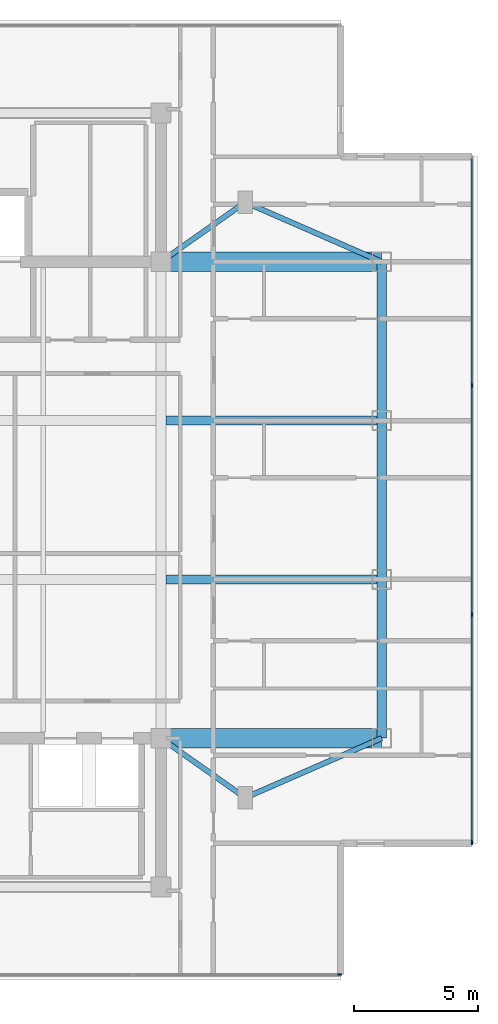
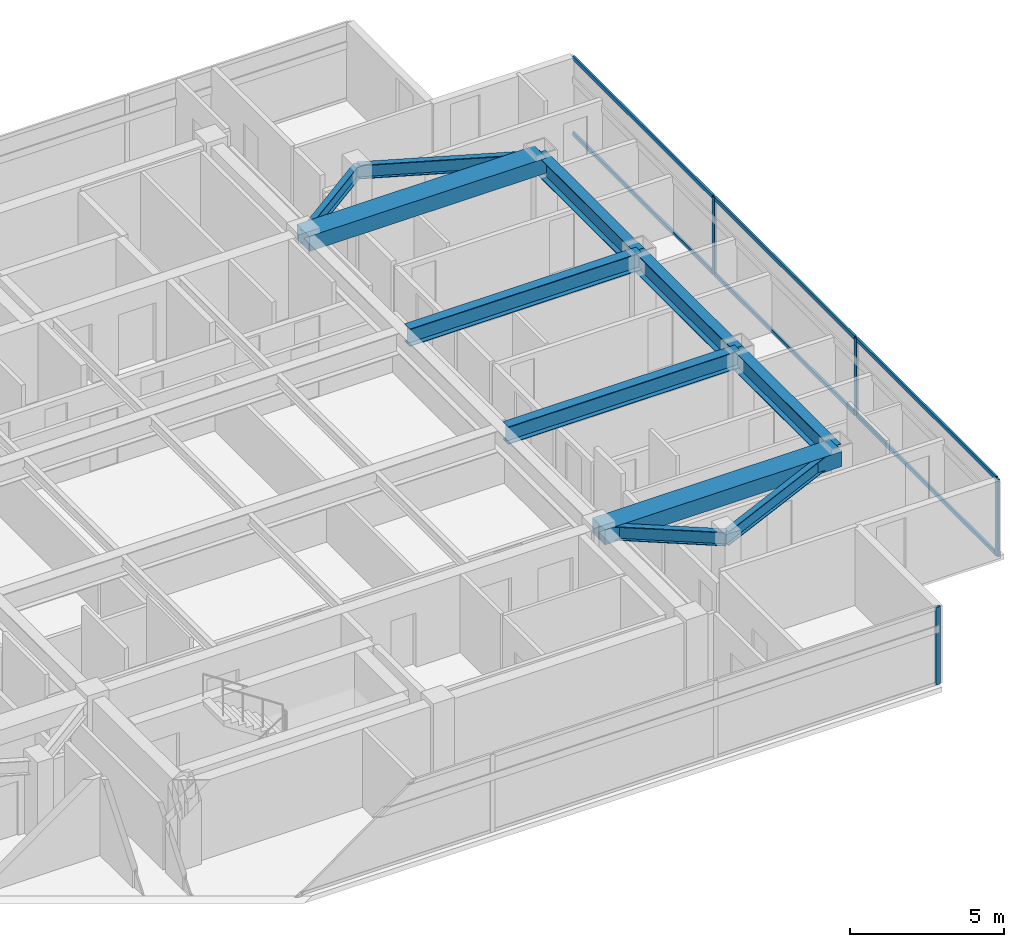
# One storey, part 4 of 14: 11 beams, 10 members, 2 elements without a shape of their own.
"""IFC4 building model written with IfcOpenShell, lengths in metres."""

from ifc_helpers import new_model, si_unit, direction, frame, origin, origin_2d, place, context, subcontext, project, spatial, rectangle, i_section, extrude, material, material_profile, profile_set, type_object, element, aggregate, save


model = new_model("IFC4")

# Units and contexts
model_context = context("Model", 3, precision=1e-05, world=origin(), true_north=direction((0.0, 1.0)))
body_context = subcontext(model_context, "Body", "Model", "MODEL_VIEW")
ifc_project = project(units=[si_unit("LENGTHUNIT", "METRE"), si_unit("AREAUNIT", "SQUARE_METRE"), si_unit("VOLUMEUNIT", "CUBIC_METRE"), si_unit("PLANEANGLEUNIT", "RADIAN"), si_unit("MASSUNIT", "GRAM", prefix="KILO")], contexts=[model_context])

# Site, building, storey
site_placement = place(None, origin())
site = spatial("IfcSite", under=ifc_project, at=site_placement, CompositionType="ELEMENT")
building_placement = place(site_placement, origin())
building = spatial("IfcBuilding", under=site, at=building_placement, Name="Mirazonda Arch Towers", CompositionType="ELEMENT")
storey_placement = place(building_placement, frame((0.0, 0.0, 242.5)))
storey = spatial("IfcBuildingStorey", under=building, at=storey_placement, Name="L69", CompositionType="ELEMENT", Elevation=242.5)

# Beams
ifc_material_1 = material(Name="Steel ASTM A992 Grade 50", Category="steel")
ifc_material_profile_1 = material_profile(ifc_material_1, i_section(OverallWidth=0.381103515625, OverallDepth=0.77294921875, WebThickness=0.0166015625, FlangeThickness=0.027099609375, at=origin_2d()), Name="W30X173")
ifc_profile_set_1 = profile_set([ifc_material_profile_1], Name="Steel ASTM A992 Grade 50")
beam_type_1 = type_object("IfcBeamType", Name="BM-EXT-W30X173", PredefinedType="USERDEFINED", material=ifc_profile_set_1)
beam_1_placement = place(storey_placement, frame((38.89990234375, 18.39990234375, 2.71337890625), z_axis=(0.0, 1.0, 0.0), x_axis=(-1.0, 0.0, 0.0)))
element("IfcBeam", 1, at=beam_1_placement, inside=storey, type_object=beam_type_1, Name="L69 Floor Beam BM-T1-L69-NS-E-18", ObjectType="GIRDER", PredefinedType="USERDEFINED", context=body_context, shape_type="SweptSolid", body=[
    extrude(i_section(OverallWidth=0.381103515625, OverallDepth=0.77294921875, WebThickness=0.0166015625, FlangeThickness=0.027099609375, at=origin_2d()), origin(), (0.0, 0.0, 1.0), 6.400146484375),
])
beam_2_placement = place(storey_placement, frame((38.89990234375, 24.800048828125, 2.71337890625), z_axis=(0.0, 1.0, 0.0), x_axis=(-1.0, 0.0, 0.0)))
element("IfcBeam", 2, at=beam_2_placement, inside=storey, type_object=beam_type_1, Name="L69 Floor Beam BM-T1-L69-NS-E-24", ObjectType="GIRDER", PredefinedType="USERDEFINED", context=body_context, shape_type="SweptSolid", body=[
    extrude(i_section(OverallWidth=0.381103515625, OverallDepth=0.77294921875, WebThickness=0.0166015625, FlangeThickness=0.027099609375, at=origin_2d()), origin(), (0.0, 0.0, 1.0), 6.39990234375),
])
beam_3_placement = place(storey_placement, frame((38.89990234375, 31.199951171875, 2.71337890625), z_axis=(0.0, 1.0, 0.0), x_axis=(-1.0, 0.0, 0.0)))
element("IfcBeam", 3, at=beam_3_placement, inside=storey, type_object=beam_type_1, Name="L69 Floor Beam BM-T1-L69-NS-E-31", ObjectType="GIRDER", PredefinedType="USERDEFINED", context=body_context, shape_type="SweptSolid", body=[
    extrude(i_section(OverallWidth=0.381103515625, OverallDepth=0.77294921875, WebThickness=0.0166015625, FlangeThickness=0.027099609375, at=origin_2d()), origin(), (0.0, 0.0, 1.0), 6.400146484375),
])
ifc_material_profile_2 = material_profile(ifc_material_1, i_section(OverallWidth=0.214111328125, OverallDepth=0.549072265625, WebThickness=0.0146484375, FlangeThickness=0.023681640625, at=origin_2d()), Name="W21X93")
ifc_profile_set_2 = profile_set([ifc_material_profile_2], Name="Steel ASTM A992 Grade 50")
beam_type_2 = type_object("IfcBeamType", Name="BM-INT-W21X93", PredefinedType="BEAM", material=ifc_profile_set_2)
beam_4_placement = place(storey_placement, frame((33.39990234375, 16.0, 2.825439453125), z_axis=(-0.816971114901, 0.576678591087, 0.0), x_axis=(-0.576678591087, -0.816971114901, 0.0)))
element("IfcBeam", 4, at=beam_4_placement, inside=storey, type_object=beam_type_2, Name="L69 Floor Beam BM-T1-L69-PL-SE1", PredefinedType="BEAM", context=body_context, shape_type="SweptSolid", body=[
    extrude(i_section(OverallWidth=0.214111328125, OverallDepth=0.549072265625, WebThickness=0.0146484375, FlangeThickness=0.023681640625, at=origin_2d()), origin(), (0.0, 0.0, 1.0), 4.16162109375),
])
beam_5_placement = place(storey_placement, frame((33.39990234375, 16.0, 2.825439453125), z_axis=(0.916545343703, 0.399930785183, 0.0), x_axis=(-0.399930785183, 0.916545343703, 0.0)))
element("IfcBeam", 5, at=beam_5_placement, inside=storey, type_object=beam_type_2, Name="L69 Floor Beam BM-T1-L69-PL-SE2", PredefinedType="BEAM", context=body_context, shape_type="SweptSolid", body=[
    extrude(i_section(OverallWidth=0.214111328125, OverallDepth=0.549072265625, WebThickness=0.0146484375, FlangeThickness=0.023681640625, at=origin_2d()), origin(), (0.0, 0.0, 1.0), 6.000732421875),
])
beam_6_placement = place(storey_placement, frame((33.39990234375, 40.0, 2.825439453125), z_axis=(-0.816971114901, -0.576678591087, 0.0), x_axis=(0.576678591087, -0.816971114901, 0.0)))
element("IfcBeam", 6, at=beam_6_placement, inside=storey, type_object=beam_type_2, Name="L69 Floor Beam BM-T1-L69-PL-NE1", PredefinedType="BEAM", context=body_context, shape_type="SweptSolid", body=[
    extrude(i_section(OverallWidth=0.214111328125, OverallDepth=0.549072265625, WebThickness=0.0146484375, FlangeThickness=0.023681640625, at=origin_2d()), origin(), (0.0, 0.0, 1.0), 4.16162109375),
])
beam_7_placement = place(storey_placement, frame((33.39990234375, 40.0, 2.825439453125), z_axis=(0.916545343703, -0.399930785183, 0.0), x_axis=(0.399930785183, 0.916545343703, 0.0)))
element("IfcBeam", 7, at=beam_7_placement, inside=storey, type_object=beam_type_2, Name="L69 Floor Beam BM-T1-L69-PL-NE2", PredefinedType="BEAM", context=body_context, shape_type="SweptSolid", body=[
    extrude(i_section(OverallWidth=0.214111328125, OverallDepth=0.549072265625, WebThickness=0.0146484375, FlangeThickness=0.023681640625, at=origin_2d()), origin(), (0.0, 0.0, 1.0), 6.000732421875),
])
ifc_material_profile_3 = material_profile(ifc_material_1, i_section(OverallWidth=0.35498046875, OverallDepth=0.696044921875, WebThickness=0.015380859375, FlangeThickness=0.02490234375, at=origin_2d()), Name="W27X146")
ifc_profile_set_3 = profile_set([ifc_material_profile_3], Name="Steel ASTM A992 Grade 50")
beam_type_3 = type_object("IfcBeamType", Name="BM-INT-W27X146", PredefinedType="BEAM", material=ifc_profile_set_3)
for number, where, z_axis, x_axis, name in (
    (8, (30.199951171875, 24.800048828125, 2.751953125), (1.0, 0.0, 0.0), (0.0, 1.0, 0.0), "L69 Floor Beam BM-T1-L69-GE2"),
    (9, (30.199951171875, 31.199951171875, 2.751953125), (1.0, 0.0, 0.0), (0.0, 1.0, 0.0), "L69 Floor Beam BM-T1-L69-GE3"),
):
    element("IfcBeam", number, at=place(storey_placement, frame(where, z_axis=z_axis, x_axis=x_axis)), inside=storey, type_object=beam_type_3, Name=name, PredefinedType="BEAM", context=body_context, shape_type="SweptSolid", body=[
        extrude(i_section(OverallWidth=0.35498046875, OverallDepth=0.696044921875, WebThickness=0.015380859375, FlangeThickness=0.02490234375, at=origin_2d()), origin(), (0.0, 0.0, 1.0), 8.699951171875),
    ])
ifc_material_2 = material(Name="Concrete C60/75", Category="concrete")
ifc_material_profile_4 = material_profile(ifc_material_2, rectangle(XDim=0.800048828125, YDim=0.60009765625, at=origin_2d()), Name="RCCB800x600")
ifc_profile_set_4 = profile_set([ifc_material_profile_4], Name="Concrete C60/75")
beam_type_4 = type_object("IfcBeamType", Name="CB-INT-RCCB800x600", PredefinedType="SPANDREL", material=ifc_profile_set_4)
for number, where, z_axis, x_axis, name in (
    (10, (30.0, 37.60009765625, 2.800048828125), (1.0, 0.0, 0.0), (0.0, 1.0, 0.0), "L69 Floor Beam CBC-T1-L69-NE"),
    (11, (30.0, 18.39990234375, 2.800048828125), (1.0, 0.0, 0.0), (0.0, 1.0, 0.0), "L69 Floor Beam CBC-T1-L69-SE"),
):
    element("IfcBeam", number, at=place(storey_placement, frame(where, z_axis=z_axis, x_axis=x_axis)), inside=storey, type_object=beam_type_4, Name=name, PredefinedType="SPANDREL", context=body_context, shape_type="SweptSolid", body=[
        extrude(rectangle(XDim=0.800048828125, YDim=0.60009765625, at=origin_2d()), origin(), (0.0, 0.0, 1.0), 8.89990234375),
    ])

# Curtain wall, member
ifc_material_3 = material(Name="Anodised Aluminium and Low-E Glass", Category="aluminium")
curtain_wall_type = type_object("IfcCurtainWallType", Name="CW-RES-UNIT", PredefinedType="NOTDEFINED", material=ifc_material_3)
curtain_wall_1_placement = place(storey_placement, origin())
curtain_wall_1 = element("IfcCurtainWall", 12, at=curtain_wall_1_placement, inside=storey, type_object=curtain_wall_type, Name="L69 T1 S Facade CW-L69-T1-S", PredefinedType="NOTDEFINED")
ifc_material_4 = material(Name="Anodised Aluminium Alloy", Category="aluminium")
ifc_material_profile_5 = material_profile(ifc_material_4, rectangle(XDim=0.074951171875, YDim=0.175048828125, at=origin_2d()), Name="ALU-MULL-75x175")
ifc_profile_set_5 = profile_set([ifc_material_profile_5], Name="Anodised Aluminium Alloy")
member_type_1 = type_object("IfcMemberType", Name="MULL-CW-RES-UNIT", PredefinedType="MULLION", material=ifc_profile_set_5)
member_1_placement = place(storey_placement, frame((37.21240234375, 8.8740234375, 0.0), z_axis=(0.0, 0.0, 1.0), x_axis=(0.0, -1.0, 0.0)))
member_1 = element("IfcMember", 13, at=member_1_placement, type_object=member_type_1, Name="CW-104 mullion 1", PredefinedType="MULLION", context=body_context, shape_type="SweptSolid", body=[
    extrude(rectangle(XDim=0.074951171875, YDim=0.175048828125, at=origin_2d()), origin(), (0.0, 0.0, 1.0), 3.080078125),
])
aggregate(curtain_wall_1, [member_1])

# Curtain wall, members
curtain_wall_2_placement = place(storey_placement, origin())
curtain_wall_2 = element("IfcCurtainWall", 14, at=curtain_wall_2_placement, inside=storey, type_object=curtain_wall_type, Name="L69 T1 E Facade CW-L69-T1-E", PredefinedType="NOTDEFINED")
member_2_placement = place(storey_placement, frame((42.5400390625, 14.201416015625, 0.0), z_axis=(0.0, 0.0, 1.0), x_axis=(-1.0, 0.0, 0.0)))
member_2 = element("IfcMember", 15, at=member_2_placement, type_object=member_type_1, Name="CW-104 mullion 1", PredefinedType="MULLION", context=body_context, shape_type="SweptSolid", body=[
    extrude(rectangle(XDim=0.074951171875, YDim=0.175048828125, at=origin_2d()), origin(), (0.0, 0.0, 1.0), 3.080078125),
])
member_3_placement = place(storey_placement, frame((42.5400390625, 23.387939453125, 0.0), z_axis=(0.0, 0.0, 1.0), x_axis=(-1.0, 0.0, 0.0)))
member_3 = element("IfcMember", 16, at=member_3_placement, type_object=member_type_1, Name="CW-104 mullion 2", PredefinedType="MULLION", context=body_context, shape_type="SweptSolid", body=[
    extrude(rectangle(XDim=0.074951171875, YDim=0.175048828125, at=origin_2d()), origin(), (0.0, 0.0, 1.0), 3.080078125),
])
member_4_placement = place(storey_placement, frame((42.5400390625, 32.612060546875, 0.0), z_axis=(0.0, 0.0, 1.0), x_axis=(-1.0, 0.0, 0.0)))
member_4 = element("IfcMember", 17, at=member_4_placement, type_object=member_type_1, Name="CW-104 mullion 3", PredefinedType="MULLION", context=body_context, shape_type="SweptSolid", body=[
    extrude(rectangle(XDim=0.074951171875, YDim=0.175048828125, at=origin_2d()), origin(), (0.0, 0.0, 1.0), 3.080078125),
])
ifc_material_profile_6 = material_profile(ifc_material_4, rectangle(XDim=0.074951171875, YDim=0.155029296875, at=origin_2d()), Name="ALU-TRAN-75x155")
ifc_profile_set_6 = profile_set([ifc_material_profile_6], Name="Anodised Aluminium Alloy")
member_type_2 = type_object("IfcMemberType", Name="TRAN-CW-RES-UNIT", PredefinedType="USERDEFINED", material=ifc_profile_set_6)
member_5_placement = place(storey_placement, frame((42.5400390625, 14.239013671875, 0.03759765625), z_axis=(0.0, 1.0, 0.0), x_axis=(-1.0, 0.0, 0.0)))
member_5 = element("IfcMember", 18, at=member_5_placement, type_object=member_type_2, Name="CW-104 transom 1.1", ObjectType="TRANSOM", PredefinedType="USERDEFINED", context=body_context, shape_type="SweptSolid", body=[
    extrude(rectangle(XDim=0.074951171875, YDim=0.155029296875, at=origin_2d()), origin(), (0.0, 0.0, 1.0), 9.111572265625),
])
member_6_placement = place(storey_placement, frame((42.5400390625, 14.239013671875, 3.04248046875), z_axis=(0.0, 1.0, 0.0), x_axis=(-1.0, 0.0, 0.0)))
member_6 = element("IfcMember", 19, at=member_6_placement, type_object=member_type_2, Name="CW-104 transom 1.2", ObjectType="TRANSOM", PredefinedType="USERDEFINED", context=body_context, shape_type="SweptSolid", body=[
    extrude(rectangle(XDim=0.074951171875, YDim=0.155029296875, at=origin_2d()), origin(), (0.0, 0.0, 1.0), 9.111572265625),
])
member_7_placement = place(storey_placement, frame((42.5400390625, 23.425537109375, 0.03759765625), z_axis=(0.0, 1.0, 0.0), x_axis=(-1.0, 0.0, 0.0)))
member_7 = element("IfcMember", 20, at=member_7_placement, type_object=member_type_2, Name="CW-104 transom 2.1", ObjectType="TRANSOM", PredefinedType="USERDEFINED", context=body_context, shape_type="SweptSolid", body=[
    extrude(rectangle(XDim=0.074951171875, YDim=0.155029296875, at=origin_2d()), origin(), (0.0, 0.0, 1.0), 9.14892578125),
])
member_8_placement = place(storey_placement, frame((42.5400390625, 23.425537109375, 3.04248046875), z_axis=(0.0, 1.0, 0.0), x_axis=(-1.0, 0.0, 0.0)))
member_8 = element("IfcMember", 21, at=member_8_placement, type_object=member_type_2, Name="CW-104 transom 2.2", ObjectType="TRANSOM", PredefinedType="USERDEFINED", context=body_context, shape_type="SweptSolid", body=[
    extrude(rectangle(XDim=0.074951171875, YDim=0.155029296875, at=origin_2d()), origin(), (0.0, 0.0, 1.0), 9.14892578125),
])
member_9_placement = place(storey_placement, frame((42.5400390625, 32.6494140625, 0.03759765625), z_axis=(0.0, 1.0, 0.0), x_axis=(-1.0, 0.0, 0.0)))
member_9 = element("IfcMember", 22, at=member_9_placement, type_object=member_type_2, Name="CW-104 transom 3.1", ObjectType="TRANSOM", PredefinedType="USERDEFINED", context=body_context, shape_type="SweptSolid", body=[
    extrude(rectangle(XDim=0.074951171875, YDim=0.155029296875, at=origin_2d()), origin(), (0.0, 0.0, 1.0), 9.111572265625),
])
member_10_placement = place(storey_placement, frame((42.5400390625, 32.6494140625, 3.04248046875), z_axis=(0.0, 1.0, 0.0), x_axis=(-1.0, 0.0, 0.0)))
member_10 = element("IfcMember", 23, at=member_10_placement, type_object=member_type_2, Name="CW-104 transom 3.2", ObjectType="TRANSOM", PredefinedType="USERDEFINED", context=body_context, shape_type="SweptSolid", body=[
    extrude(rectangle(XDim=0.074951171875, YDim=0.155029296875, at=origin_2d()), origin(), (0.0, 0.0, 1.0), 9.111572265625),
])
aggregate(curtain_wall_2, [member_2, member_3, member_4, member_5, member_6, member_7, member_8, member_9, member_10])

save(model, "model.ifc")
